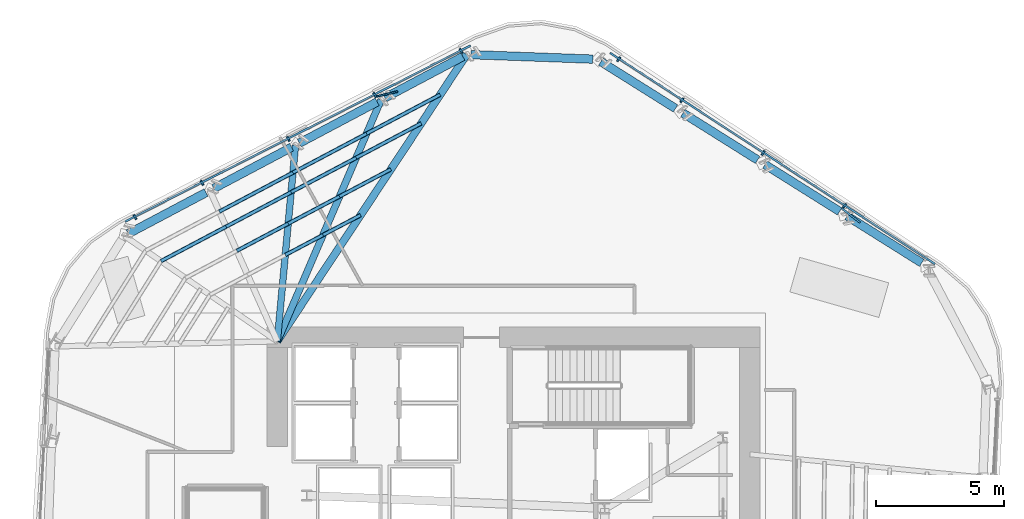
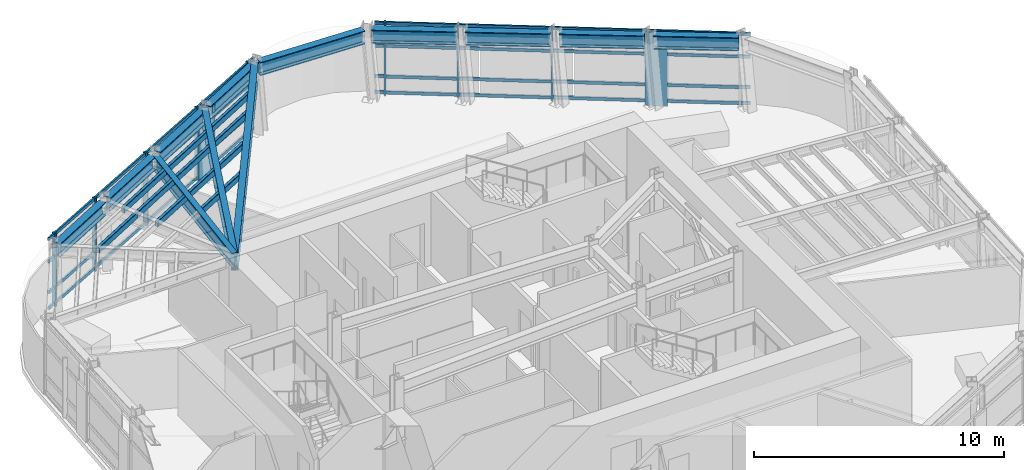
# One storey, part 5 of 14: 31 members, 12 beams, 2 elements without a shape of their own.
"""IFC4 building model written with IfcOpenShell, lengths in metres."""

from ifc_helpers import new_model, si_unit, direction, frame, origin, origin_2d, place, context, subcontext, project, spatial, rectangle, hollow_rectangle, i_section, extrude, material, layer, layer_set, material_profile, profile_set, type_object, element, aggregate, save


model = new_model("IFC4")

# Units and contexts
model_context = context("Model", 3, precision=1e-05, world=origin(), true_north=direction((0.0, 1.0)))
body_context = subcontext(model_context, "Body", "Model", "MODEL_VIEW")
ifc_project = project(units=[si_unit("LENGTHUNIT", "METRE"), si_unit("AREAUNIT", "SQUARE_METRE"), si_unit("VOLUMEUNIT", "CUBIC_METRE"), si_unit("PLANEANGLEUNIT", "RADIAN"), si_unit("MASSUNIT", "GRAM", prefix="KILO")], contexts=[model_context])

# Site, building, storey
site_placement = place(None, origin())
site = spatial("IfcSite", under=ifc_project, at=site_placement, CompositionType="ELEMENT")
building_placement = place(site_placement, origin())
building = spatial("IfcBuilding", under=site, at=building_placement, Name="Valkerne Bourse Tower", CompositionType="ELEMENT")
storey_placement = place(building_placement, frame((0.0, 0.0, 140.0)))
storey = spatial("IfcBuildingStorey", under=building, at=storey_placement, Name="L35", CompositionType="ELEMENT", Elevation=140.0)

# Beams
ifc_material_1 = material(Name="Steel ASTM A992", Category="steel")
ifc_material_profile_1 = material_profile(ifc_material_1, i_section(OverallWidth=0.330078125, OverallDepth=0.647705078125, WebThickness=0.0205078125, FlangeThickness=0.037109375, FilletRadius=0.020263671875, at=origin_2d()), Name="W24X192")
ifc_profile_set_1 = profile_set([ifc_material_profile_1], Name="Steel ASTM A992")
beam_type_1 = type_object("IfcBeamType", Name="BM-W24X192", PredefinedType="SPANDREL", material=ifc_profile_set_1)
for number, where, z_axis, x_axis, name in (
    (1, (62.686279296875, 38.451904296875, 3.256103515625), (-0.847089646393, 0.531450026788, 0.0), (-0.531450026788, -0.847089646393, 0.0), "L35 Hexagonal Spandrel Ring Beam 00"),
    (2, (59.49169921875, 40.455810546875, 3.256103515625), (-0.847089646393, 0.531450026788, 0.0), (-0.531450026788, -0.847089646393, 0.0), "L35 Hexagonal Spandrel Ring Beam 01"),
    (3, (56.29736328125, 42.459716796875, 3.256103515625), (-0.847089646393, 0.531450026788, 0.0), (-0.531450026788, -0.847089646393, 0.0), "L35 Hexagonal Spandrel Ring Beam 02"),
    (4, (53.102783203125, 44.463623046875, 3.256103515625), (-0.847089646393, 0.531450026788, 0.0), (-0.531450026788, -0.847089646393, 0.0), "L35 Hexagonal Spandrel Ring Beam 03"),
):
    element("IfcBeam", number, at=place(storey_placement, frame(where, z_axis=z_axis, x_axis=x_axis)), inside=storey, type_object=beam_type_1, Name=name, PredefinedType="SPANDREL", context=body_context, shape_type="SweptSolid", body=[
        extrude(i_section(OverallWidth=0.330078125, OverallDepth=0.647705078125, WebThickness=0.0205078125, FlangeThickness=0.037109375, FilletRadius=0.020263671875, at=origin_2d()), origin(), (0.0, 0.0, 1.0), 3.43115234375),
    ])
beam_1_placement = place(storey_placement, frame((49.88232421875, 46.383544921875, 3.256103515625), z_axis=(-0.999327335331, 0.036672562764, 0.0), x_axis=(-0.036672562764, -0.999327335331, 0.0)))
element("IfcBeam", 5, at=beam_1_placement, inside=storey, type_object=beam_type_1, Name="L35 Hexagonal Spandrel Ring Beam 04", PredefinedType="SPANDREL", context=body_context, shape_type="SweptSolid", body=[
    extrude(i_section(OverallWidth=0.330078125, OverallDepth=0.647705078125, WebThickness=0.0205078125, FlangeThickness=0.037109375, FilletRadius=0.020263671875, at=origin_2d()), origin(), (0.0, 0.0, 1.0), 4.739990234375),
])
for number, where, z_axis, x_axis, name in (
    (6, (44.825439453125, 46.48388671875, 3.256103515625), (-0.883767145391, -0.467926952342, 0.0), (0.467926952342, -0.883767145391, 0.0), "L35 Hexagonal Spandrel Ring Beam 05"),
    (7, (41.49267578125, 44.719482421875, 3.256103515625), (-0.883767145391, -0.467926952342, 0.0), (0.467926952342, -0.883767145391, 0.0), "L35 Hexagonal Spandrel Ring Beam 06"),
    (8, (38.159912109375, 42.954833984375, 3.256103515625), (-0.883767145391, -0.467926952342, 0.0), (0.467926952342, -0.883767145391, 0.0), "L35 Hexagonal Spandrel Ring Beam 07"),
    (9, (34.827392578125, 41.190185546875, 3.256103515625), (-0.883767145391, -0.467926952342, 0.0), (0.467926952342, -0.883767145391, 0.0), "L35 Hexagonal Spandrel Ring Beam 08"),
):
    element("IfcBeam", number, at=place(storey_placement, frame(where, z_axis=z_axis, x_axis=x_axis)), inside=storey, type_object=beam_type_1, Name=name, PredefinedType="SPANDREL", context=body_context, shape_type="SweptSolid", body=[
        extrude(i_section(OverallWidth=0.330078125, OverallDepth=0.647705078125, WebThickness=0.0205078125, FlangeThickness=0.037109375, FilletRadius=0.020263671875, at=origin_2d()), origin(), (0.0, 0.0, 1.0), 3.430908203125),
    ])
ifc_material_profile_2 = material_profile(ifc_material_1, i_section(OverallWidth=0.255859375, OverallDepth=0.693359375, WebThickness=0.014404296875, FlangeThickness=0.023681640625, FilletRadius=0.02294921875, at=origin_2d()), Name="W27X114")
ifc_profile_set_2 = profile_set([ifc_material_profile_2], Name="Steel ASTM A992")
beam_type_2 = type_object("IfcBeamType", Name="BM-W27X114", PredefinedType="BEAM", material=ifc_profile_set_2)
beam_2_placement = place(storey_placement, frame((38.310302734375, 43.034423828125, 3.2333984375), z_axis=(-0.092625571339, -0.995701011114, 0.0), x_axis=(0.995701011114, -0.092625571339, 0.0)))
element("IfcBeam", 10, at=beam_2_placement, inside=storey, type_object=beam_type_2, Name="L35 Radial Composite Floor Beam 07", PredefinedType="BEAM", context=body_context, shape_type="SweptSolid", body=[
    extrude(i_section(OverallWidth=0.255859375, OverallDepth=0.693359375, WebThickness=0.014404296875, FlangeThickness=0.023681640625, FilletRadius=0.02294921875, at=origin_2d()), origin(), (0.0, 0.0, 1.0), 7.66748046875),
])
ifc_material_profile_3 = material_profile(ifc_material_1, i_section(OverallWidth=0.26806640625, OverallDepth=0.76953125, WebThickness=0.015625, FlangeThickness=0.025390625, FilletRadius=0.025390625, at=origin_2d()), Name="W30X132")
ifc_profile_set_3 = profile_set([ifc_material_profile_3], Name="Steel ASTM A992")
beam_type_3 = type_object("IfcBeamType", Name="BM-W30X132", PredefinedType="BEAM", material=ifc_profile_set_3)
beam_3_placement = place(storey_placement, frame((41.642822265625, 44.798828125, 3.1953125), z_axis=(-0.395125619785, -0.918627097679, 0.0), x_axis=(0.918627097679, -0.395125619785, 0.0)))
element("IfcBeam", 11, at=beam_3_placement, inside=storey, type_object=beam_type_3, Name="L35 Radial Composite Floor Beam 06", PredefinedType="BEAM", context=body_context, shape_type="SweptSolid", body=[
    extrude(i_section(OverallWidth=0.26806640625, OverallDepth=0.76953125, WebThickness=0.015625, FlangeThickness=0.025390625, FilletRadius=0.025390625, at=origin_2d()), origin(), (0.0, 0.0, 1.0), 10.2314453125),
])
ifc_material_profile_4 = material_profile(ifc_material_1, i_section(OverallWidth=0.2919921875, OverallDepth=0.8583984375, WebThickness=0.01708984375, FlangeThickness=0.031005859375, FilletRadius=0.025390625, at=origin_2d()), Name="W33X169")
ifc_profile_set_4 = profile_set([ifc_material_profile_4], Name="Steel ASTM A992")
beam_type_4 = type_object("IfcBeamType", Name="BM-W33X169", PredefinedType="BEAM", material=ifc_profile_set_4)
beam_4_placement = place(storey_placement, frame((44.9755859375, 46.5634765625, 3.15087890625), z_axis=(-0.551234129731, -0.834350606292, 0.0), x_axis=(0.834350606292, -0.551234129731, 0.0)))
element("IfcBeam", 12, at=beam_4_placement, inside=storey, type_object=beam_type_4, Name="L35 Radial Composite Floor Beam 05", PredefinedType="BEAM", context=body_context, shape_type="SweptSolid", body=[
    extrude(i_section(OverallWidth=0.2919921875, OverallDepth=0.8583984375, WebThickness=0.01708984375, FlangeThickness=0.031005859375, FilletRadius=0.025390625, at=origin_2d()), origin(), (0.0, 0.0, 1.0), 13.3798828125),
])

# Curtain wall, members
ifc_material_2 = material(Name="Aluminium AA 6063-T6", Category="aluminium")
ifc_layer = layer(ifc_material_2, 0.235107421875)
ifc_layer_set = layer_set([ifc_layer], Name="Aluminium AA 6063-T6")
curtain_wall_type = type_object("IfcCurtainWallType", Name="CW-03", PredefinedType="NOTDEFINED", material=ifc_layer_set)
curtain_wall_1_placement = place(storey_placement, origin())
curtain_wall_1 = element("IfcCurtainWall", 13, at=curtain_wall_1_placement, inside=storey, type_object=curtain_wall_type, Name="L35 Hexagonal Stick Curtain Wall Face 1", PredefinedType="NOTDEFINED")
ifc_material_profile_5 = material_profile(ifc_material_2, rectangle(XDim=0.074951171875, YDim=0.199951171875, at=origin_2d()), Name="CWM-75X200")
ifc_profile_set_5 = profile_set([ifc_material_profile_5], Name="Aluminium AA 6063-T6")
member_type_1 = type_object("IfcMemberType", Name="CW-MUL-220X75", PredefinedType="MULLION", material=ifc_profile_set_5)
member_1_placement = place(storey_placement, frame((59.677001953125, 40.67626953125, 0.0), z_axis=(0.0, 0.0, 1.0), x_axis=(-0.838672561028, 0.544635965924, 0.0)))
member_1 = element("IfcMember", 14, at=member_1_placement, type_object=member_type_1, Name="CW-L35-F1 Jamb Mullion 01A", PredefinedType="MULLION", context=body_context, shape_type="SweptSolid", body=[
    extrude(rectangle(XDim=0.074951171875, YDim=0.199951171875, at=origin_2d()), origin(), (0.0, 0.0, 1.0), 3.580078125),
])
member_2_placement = place(storey_placement, frame((56.514404296875, 42.72998046875, 0.0), z_axis=(0.0, 0.0, 1.0), x_axis=(-0.838672561028, 0.544635965924, 0.0)))
member_2 = element("IfcMember", 15, at=member_2_placement, type_object=member_type_1, Name="CW-L35-F1 Jamb Mullion 02A", PredefinedType="MULLION", context=body_context, shape_type="SweptSolid", body=[
    extrude(rectangle(XDim=0.074951171875, YDim=0.199951171875, at=origin_2d()), origin(), (0.0, 0.0, 1.0), 3.580078125),
])
member_3_placement = place(storey_placement, frame((53.351806640625, 44.783935546875, 0.0), z_axis=(0.0, 0.0, 1.0), x_axis=(-0.838660448128, 0.544654617851, 0.0)))
member_3 = element("IfcMember", 16, at=member_3_placement, type_object=member_type_1, Name="CW-L35-F1 Jamb Mullion 03A", PredefinedType="MULLION", context=body_context, shape_type="SweptSolid", body=[
    extrude(rectangle(XDim=0.074951171875, YDim=0.199951171875, at=origin_2d()), origin(), (0.0, 0.0, 1.0), 3.580078125),
])
member_4_placement = place(storey_placement, frame((50.893798828125, 46.38037109375, 0.0), z_axis=(0.0, 0.0, 1.0), x_axis=(-0.838660448128, 0.544654617851, 0.0)))
member_4 = element("IfcMember", 17, at=member_4_placement, type_object=member_type_1, Name="CW-L35-F1 Jamb Mullion 03B", PredefinedType="MULLION", context=body_context, shape_type="SweptSolid", body=[
    extrude(rectangle(XDim=0.074951171875, YDim=0.199951171875, at=origin_2d()), origin(), (0.0, 0.0, 1.0), 3.580078125),
])

curtain_wall_2_placement = place(storey_placement, origin())
curtain_wall_2 = element("IfcCurtainWall", 18, at=curtain_wall_2_placement, inside=storey, type_object=curtain_wall_type, Name="L35 Hexagonal Stick Curtain Wall Face 2", PredefinedType="NOTDEFINED")
member_5_placement = place(storey_placement, frame((44.75439453125, 46.701904296875, 0.0), z_axis=(0.0, 0.0, 1.0), x_axis=(-0.891007115267, -0.453989339681, 0.0)))
member_5 = element("IfcMember", 19, at=member_5_placement, type_object=member_type_1, Name="CW-L35-F2 Jamb Mullion 00A", PredefinedType="MULLION", context=body_context, shape_type="SweptSolid", body=[
    extrude(rectangle(XDim=0.074951171875, YDim=0.199951171875, at=origin_2d()), origin(), (0.0, 0.0, 1.0), 3.580078125),
])
member_6_placement = place(storey_placement, frame((41.39453125, 44.989990234375, 0.0), z_axis=(0.0, 0.0, 1.0), x_axis=(-0.891007115267, -0.453989339681, 0.0)))
member_6 = element("IfcMember", 20, at=member_6_placement, type_object=member_type_1, Name="CW-L35-F2 Jamb Mullion 01A", PredefinedType="MULLION", context=body_context, shape_type="SweptSolid", body=[
    extrude(rectangle(XDim=0.074951171875, YDim=0.199951171875, at=origin_2d()), origin(), (0.0, 0.0, 1.0), 3.580078125),
])
member_7_placement = place(storey_placement, frame((38.034423828125, 43.278076171875, 0.0), z_axis=(0.0, 0.0, 1.0), x_axis=(-0.891001649528, -0.454000066671, 0.0)))
member_7 = element("IfcMember", 21, at=member_7_placement, type_object=member_type_1, Name="CW-L35-F2 Jamb Mullion 02A", PredefinedType="MULLION", context=body_context, shape_type="SweptSolid", body=[
    extrude(rectangle(XDim=0.074951171875, YDim=0.199951171875, at=origin_2d()), origin(), (0.0, 0.0, 1.0), 3.580078125),
])
member_8_placement = place(storey_placement, frame((34.674560546875, 41.56591796875, 0.0), z_axis=(0.0, 0.0, 1.0), x_axis=(-0.891007115267, -0.453989339681, 0.0)))
member_8 = element("IfcMember", 22, at=member_8_placement, type_object=member_type_1, Name="CW-L35-F2 Jamb Mullion 03A", PredefinedType="MULLION", context=body_context, shape_type="SweptSolid", body=[
    extrude(rectangle(XDim=0.074951171875, YDim=0.199951171875, at=origin_2d()), origin(), (0.0, 0.0, 1.0), 3.580078125),
])
member_9_placement = place(storey_placement, frame((32.06298828125, 40.2353515625, 0.0), z_axis=(0.0, 0.0, 1.0), x_axis=(-0.891007115267, -0.453989339681, 0.0)))
member_9 = element("IfcMember", 23, at=member_9_placement, type_object=member_type_1, Name="CW-L35-F2 Jamb Mullion 03B", PredefinedType="MULLION", context=body_context, shape_type="SweptSolid", body=[
    extrude(rectangle(XDim=0.074951171875, YDim=0.199951171875, at=origin_2d()), origin(), (0.0, 0.0, 1.0), 3.580078125),
])

# Member
ifc_material_profile_6 = material_profile(ifc_material_2, rectangle(XDim=0.074951171875, YDim=0.14990234375, at=origin_2d()), Name="CWT-75X150")
ifc_profile_set_6 = profile_set([ifc_material_profile_6], Name="Aluminium AA 6063-T6")
member_type_2 = type_object("IfcMemberType", Name="CW-TRN-180X65", PredefinedType="USERDEFINED", material=ifc_profile_set_6)
member_10_placement = place(storey_placement, frame((63.202880859375, 38.410400390625, 0.1201171875), z_axis=(-0.838668378466, 0.544642406503, 0.0), x_axis=(-0.544642406503, -0.838668378466, 0.0)))
member_10 = element("IfcMember", 24, at=member_10_placement, type_object=member_type_2, Name="CW-L35-F1 Continuous Face Transom 1", ObjectType="TRANSOM", PredefinedType="USERDEFINED", context=body_context, shape_type="SweptSolid", body=[
    extrude(rectangle(XDim=0.074951171875, YDim=0.14990234375, at=origin_2d()), origin(), (0.0, 0.0, 1.0), 15.083984375),
])

member_11_placement = place(storey_placement, frame((63.202880859375, 38.410400390625, 0.89990234375), z_axis=(-0.838668378466, 0.544642406503, 0.0), x_axis=(-0.544642406503, -0.838668378466, 0.0)))
member_11 = element("IfcMember", 25, at=member_11_placement, type_object=member_type_2, Name="CW-L35-F1 Continuous Face Transom 2", ObjectType="TRANSOM", PredefinedType="USERDEFINED", context=body_context, shape_type="SweptSolid", body=[
    extrude(rectangle(XDim=0.074951171875, YDim=0.14990234375, at=origin_2d()), origin(), (0.0, 0.0, 1.0), 15.083984375),
])

member_12_placement = place(storey_placement, frame((63.202880859375, 38.410400390625, 2.39990234375), z_axis=(-0.838668378466, 0.544642406503, 0.0), x_axis=(-0.544642406503, -0.838668378466, 0.0)))
member_12 = element("IfcMember", 26, at=member_12_placement, type_object=member_type_2, Name="CW-L35-F1 Continuous Face Transom 3", ObjectType="TRANSOM", PredefinedType="USERDEFINED", context=body_context, shape_type="SweptSolid", body=[
    extrude(rectangle(XDim=0.074951171875, YDim=0.14990234375, at=origin_2d()), origin(), (0.0, 0.0, 1.0), 15.083984375),
])

member_13_placement = place(storey_placement, frame((63.202880859375, 38.410400390625, 3.5), z_axis=(-0.838668378466, 0.544642406503, 0.0), x_axis=(-0.544642406503, -0.838668378466, 0.0)))
member_13 = element("IfcMember", 27, at=member_13_placement, type_object=member_type_2, Name="CW-L35-F1 Continuous Face Transom 4", ObjectType="TRANSOM", PredefinedType="USERDEFINED", context=body_context, shape_type="SweptSolid", body=[
    extrude(rectangle(XDim=0.074951171875, YDim=0.14990234375, at=origin_2d()), origin(), (0.0, 0.0, 1.0), 15.083984375),
])

aggregate(curtain_wall_1, [member_10, member_11, member_12, member_13, member_1, member_2, member_3, member_4])

member_14_placement = place(storey_placement, frame((45.11962890625, 46.910400390625, 0.1201171875), z_axis=(-0.891008985869, -0.453985668386, 0.0), x_axis=(0.453985668386, -0.891008985869, 0.0)))
member_14 = element("IfcMember", 28, at=member_14_placement, type_object=member_type_2, Name="CW-L35-F2 Continuous Face Transom 1", ObjectType="TRANSOM", PredefinedType="USERDEFINED", context=body_context, shape_type="SweptSolid", body=[
    extrude(rectangle(XDim=0.074951171875, YDim=0.14990234375, at=origin_2d()), origin(), (0.0, 0.0, 1.0), 15.083984375),
])

member_15_placement = place(storey_placement, frame((45.11962890625, 46.910400390625, 0.89990234375), z_axis=(-0.891008985869, -0.453985668386, 0.0), x_axis=(0.453985668386, -0.891008985869, 0.0)))
member_15 = element("IfcMember", 29, at=member_15_placement, type_object=member_type_2, Name="CW-L35-F2 Continuous Face Transom 2", ObjectType="TRANSOM", PredefinedType="USERDEFINED", context=body_context, shape_type="SweptSolid", body=[
    extrude(rectangle(XDim=0.074951171875, YDim=0.14990234375, at=origin_2d()), origin(), (0.0, 0.0, 1.0), 15.083984375),
])

member_16_placement = place(storey_placement, frame((45.11962890625, 46.910400390625, 2.39990234375), z_axis=(-0.891008985869, -0.453985668386, 0.0), x_axis=(0.453985668386, -0.891008985869, 0.0)))
member_16 = element("IfcMember", 30, at=member_16_placement, type_object=member_type_2, Name="CW-L35-F2 Continuous Face Transom 3", ObjectType="TRANSOM", PredefinedType="USERDEFINED", context=body_context, shape_type="SweptSolid", body=[
    extrude(rectangle(XDim=0.074951171875, YDim=0.14990234375, at=origin_2d()), origin(), (0.0, 0.0, 1.0), 15.083984375),
])

member_17_placement = place(storey_placement, frame((45.11962890625, 46.910400390625, 3.5), z_axis=(-0.891008985869, -0.453985668386, 0.0), x_axis=(0.453985668386, -0.891008985869, 0.0)))
member_17 = element("IfcMember", 31, at=member_17_placement, type_object=member_type_2, Name="CW-L35-F2 Continuous Face Transom 4", ObjectType="TRANSOM", PredefinedType="USERDEFINED", context=body_context, shape_type="SweptSolid", body=[
    extrude(rectangle(XDim=0.074951171875, YDim=0.14990234375, at=origin_2d()), origin(), (0.0, 0.0, 1.0), 15.083984375),
])

aggregate(curtain_wall_2, [member_14, member_15, member_16, member_17, member_5, member_6, member_7, member_8, member_9])

# Members
ifc_material_3 = material(Name="Bronze Anodised Aluminium AA 6063-T6", Category="aluminium")
ifc_material_profile_7 = material_profile(ifc_material_3, rectangle(XDim=0.070068359375, YDim=0.89990234375, at=origin_2d()), Name="FIN-70X900")
ifc_profile_set_7 = profile_set([ifc_material_profile_7], Name="Bronze Anodised Aluminium AA 6063-T6")
member_type_3 = type_object("IfcMemberType", Name="FIN-SOLAR-900", PredefinedType="USERDEFINED", material=ifc_profile_set_7)
for number, where, z_axis, x_axis, name in (
    (32, (59.93115234375, 40.296630859375, 0.00390625), (0.0, 0.0, 1.0), (0.611155977127, 0.791510184156, 0.0), "L35 Bronze Anodised Solar Fin F1-01"),
    (33, (41.8505859375, 45.020263671875, 0.00390625), (0.0, 0.0, 1.0), (-0.228934679865, 0.973441786834, 0.0), "L35 Bronze Anodised Solar Fin F2-01"),
):
    element("IfcMember", number, at=place(storey_placement, frame(where, z_axis=z_axis, x_axis=x_axis)), inside=storey, type_object=member_type_3, Name=name, ObjectType="SOLAR_FIN", PredefinedType="USERDEFINED", context=body_context, shape_type="SweptSolid", body=[
        extrude(rectangle(XDim=0.070068359375, YDim=0.89990234375, at=origin_2d()), origin(), (0.0, 0.0, 1.0), 3.572021484375),
    ])
ifc_material_4 = material(Name="Steel ASTM A500 Grade C", Category="steel")
ifc_material_profile_8 = material_profile(ifc_material_4, hollow_rectangle(XDim=0.14990234375, YDim=0.300048828125, WallThickness=0.012451171875, OuterFilletRadius=0.02490234375, at=origin_2d()), Name="HSS300X150X12.5")
ifc_profile_set_8 = profile_set([ifc_material_profile_8], Name="Steel ASTM A500 Grade C")
member_type_4 = type_object("IfcMemberType", Name="MBR-HSS300X150X12.5", PredefinedType="PURLIN", material=ifc_profile_set_8)
for number, where, z_axis, x_axis, name in (
    (34, (40.84521484375, 40.31201171875, 3.419921875), (-0.883705585412, -0.468043201331, 0.0), (0.468043201331, -0.883705585412, 0.0), "L35 Secondary Composite Floor Purlin K-05"),
    (35, (39.37890625, 39.535400390625, 3.419921875), (-0.88376643987, -0.467928284846, 0.0), (0.467928284846, -0.88376643987, 0.0), "L35 Secondary Composite Floor Purlin K-06"),
):
    element("IfcMember", number, at=place(storey_placement, frame(where, z_axis=z_axis, x_axis=x_axis)), inside=storey, type_object=member_type_4, Name=name, PredefinedType="PURLIN", context=body_context, shape_type="SweptSolid", body=[
        extrude(hollow_rectangle(XDim=0.14990234375, YDim=0.300048828125, WallThickness=0.012451171875, OuterFilletRadius=0.02490234375, at=origin_2d()), origin(), (0.0, 0.0, 1.0), 1.6591796875),
    ])
for number, where, z_axis, x_axis, name in (
    (36, (43.20556640625, 43.88427734375, 3.419921875), (-0.883775483895, -0.467911203184, 0.0), (0.467911203184, -0.883775483895, 0.0), "L35 Secondary Composite Floor Purlin O-05"),
    (37, (40.672607421875, 42.543212890625, 3.419921875), (-0.883756831708, -0.467946431133, 0.0), (0.467946431133, -0.883756831708, 0.0), "L35 Secondary Composite Floor Purlin O-06"),
    (38, (38.139892578125, 41.2021484375, 3.419921875), (-0.883775483895, -0.467911203184, 0.0), (0.467911203184, -0.883775483895, 0.0), "L35 Secondary Composite Floor Purlin O-07"),
    (39, (35.60693359375, 39.861083984375, 3.419921875), (-0.883756831708, -0.467946431133, 0.0), (0.467946431133, -0.883756831708, 0.0), "L35 Secondary Composite Floor Purlin O-08"),
):
    element("IfcMember", number, at=place(storey_placement, frame(where, z_axis=z_axis, x_axis=x_axis)), inside=storey, type_object=member_type_4, Name=name, PredefinedType="PURLIN", context=body_context, shape_type="SweptSolid", body=[
        extrude(hollow_rectangle(XDim=0.14990234375, YDim=0.300048828125, WallThickness=0.012451171875, OuterFilletRadius=0.02490234375, at=origin_2d()), origin(), (0.0, 0.0, 1.0), 2.865966796875),
    ])
member_18_placement = place(storey_placement, frame((42.025390625, 42.09814453125, 3.419921875), z_axis=(-0.883761670413, -0.467937292709, 0.0), x_axis=(0.467937292709, -0.883761670413, 0.0)))
element("IfcMember", 40, at=member_18_placement, inside=storey, type_object=member_type_4, Name="L35 Secondary Composite Floor Purlin Z-05", PredefinedType="PURLIN", context=body_context, shape_type="SweptSolid", body=[
    extrude(hollow_rectangle(XDim=0.14990234375, YDim=0.300048828125, WallThickness=0.012451171875, OuterFilletRadius=0.02490234375, at=origin_2d()), origin(), (0.0, 0.0, 1.0), 2.2626953125),
])
for number, where, z_axis, x_axis, name in (
    (41, (40.025634765625, 41.039306640625, 3.419921875), (-0.883782666617, -0.467897636441, 0.0), (0.467897636441, -0.883782666617, 0.0), "L35 Secondary Composite Floor Purlin Z-06"),
    (42, (38.026123046875, 39.980712890625, 3.419921875), (-0.883738041939, -0.467981915493, 0.0), (0.467981915493, -0.883738041939, 0.0), "L35 Secondary Composite Floor Purlin Z-07"),
):
    element("IfcMember", number, at=place(storey_placement, frame(where, z_axis=z_axis, x_axis=x_axis)), inside=storey, type_object=member_type_4, Name=name, PredefinedType="PURLIN", context=body_context, shape_type="SweptSolid", body=[
        extrude(hollow_rectangle(XDim=0.14990234375, YDim=0.300048828125, WallThickness=0.012451171875, OuterFilletRadius=0.02490234375, at=origin_2d()), origin(), (0.0, 0.0, 1.0), 2.262451171875),
    ])
for number, where, z_axis, x_axis, name in (
    (43, (43.943115234375, 45.00048828125, 3.419921875), (-0.883797071956, -0.467870426082, 0.0), (0.467870426082, -0.883797071956, 0.0), "L35 Secondary Composite Floor Purlin T-05"),
    (44, (41.076904296875, 43.483154296875, 3.419921875), (-0.883765942279, -0.467929224634, 0.0), (0.467929224634, -0.883765942279, 0.0), "L35 Secondary Composite Floor Purlin T-06"),
):
    element("IfcMember", number, at=place(storey_placement, frame(where, z_axis=z_axis, x_axis=x_axis)), inside=storey, type_object=member_type_4, Name=name, PredefinedType="PURLIN", context=body_context, shape_type="SweptSolid", body=[
        extrude(hollow_rectangle(XDim=0.14990234375, YDim=0.300048828125, WallThickness=0.012451171875, OuterFilletRadius=0.02490234375, at=origin_2d()), origin(), (0.0, 0.0, 1.0), 3.2431640625),
    ])
member_19_placement = place(storey_placement, frame((38.210693359375, 41.965576171875, 3.419921875), z_axis=(-0.883749457891, -0.467960356951, 0.0), x_axis=(0.467960356951, -0.883749457891, 0.0)))
element("IfcMember", 45, at=member_19_placement, inside=storey, type_object=member_type_4, Name="L35 Secondary Composite Floor Purlin T-07", PredefinedType="PURLIN", context=body_context, shape_type="SweptSolid", body=[
    extrude(hollow_rectangle(XDim=0.14990234375, YDim=0.300048828125, WallThickness=0.012451171875, OuterFilletRadius=0.02490234375, at=origin_2d()), origin(), (0.0, 0.0, 1.0), 3.242919921875),
])

save(model, "model.ifc")
